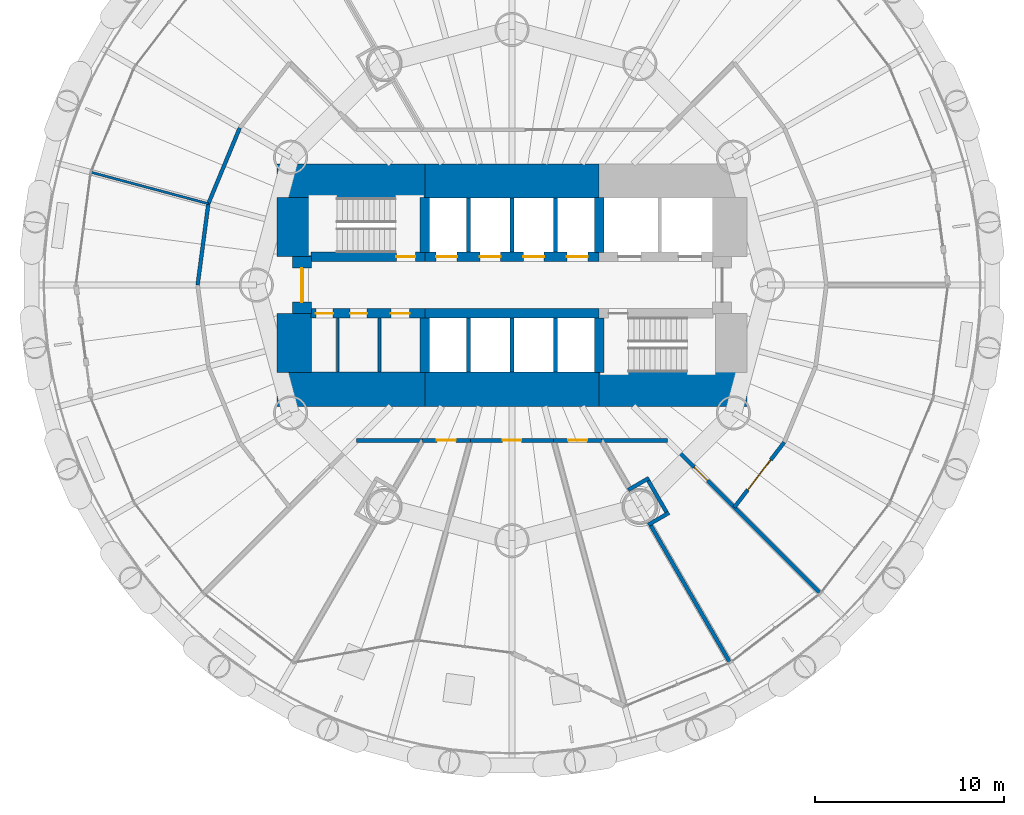
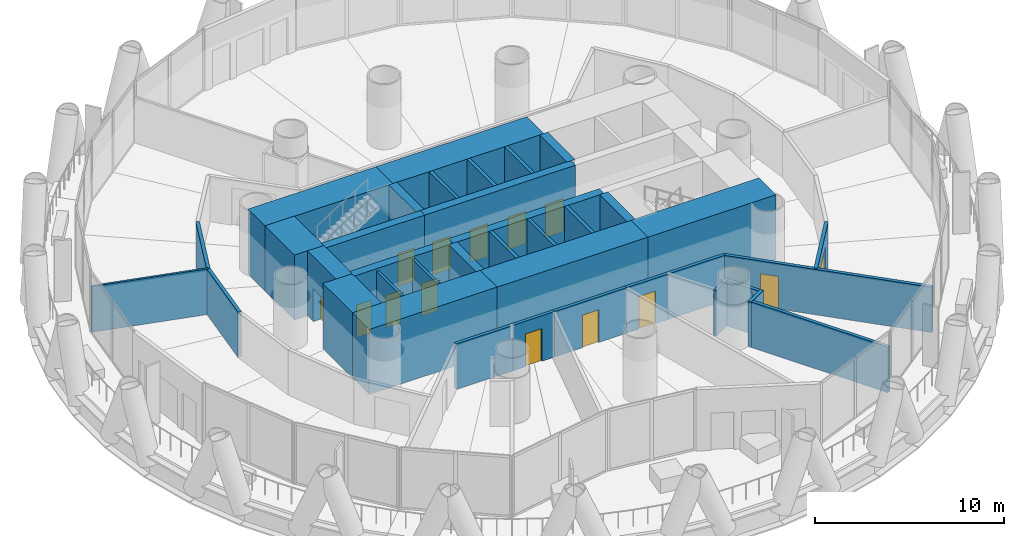
# One storey, part 10 of 15: 38 walls, 14 doors, 14 openings.
"""IFC4 building model written with IfcOpenShell, lengths in metres."""

from ifc_helpers import new_model, si_unit, direction, frame, frame_2d, origin, place, context, subcontext, project, spatial, rectangle, extrude, material, layer, layer_set, type_object, element, fill, save


model = new_model("IFC4")

# Units and contexts
model_context = context("Model", 3, precision=1e-05, world=origin(), true_north=direction((0.0, 1.0)))
body_context = subcontext(model_context, "Body", "Model", "MODEL_VIEW")
ifc_project = project(units=[si_unit("LENGTHUNIT", "METRE"), si_unit("AREAUNIT", "SQUARE_METRE"), si_unit("VOLUMEUNIT", "CUBIC_METRE"), si_unit("PLANEANGLEUNIT", "RADIAN"), si_unit("MASSUNIT", "GRAM", prefix="KILO")], contexts=[model_context])

# Site, building, storey
site_placement = place(None, origin())
site = spatial("IfcSite", under=ifc_project, at=site_placement, CompositionType="ELEMENT")
building_placement = place(site_placement, origin())
building = spatial("IfcBuilding", under=site, at=building_placement, Name="Qaws Media Tower", CompositionType="ELEMENT")
storey_placement = place(building_placement, frame((0.0, 0.0, 97.39990234375)))
storey = spatial("IfcBuildingStorey", under=building, at=storey_placement, Name="L21", CompositionType="ELEMENT", Elevation=97.39990234375)

# Wall, opening, door
ifc_material_1 = material(Name="Concrete C60/75", Category="concrete")
ifc_layer_1 = layer(ifc_material_1, 0.5)
ifc_layer_set_1 = layer_set([ifc_layer_1], Name="Core inner wall 500")
wall_type_1 = type_object("IfcWallType", Name="Core inner wall 500", PredefinedType="SHEAR", material=ifc_layer_set_1)
wall_1_placement = place(storey_placement, frame((49.3798828125, 51.5, 0.0), z_axis=(0.0, 0.0, 1.0), x_axis=(1.0, 0.0, 0.0)))
wall_1 = element("IfcWall", 1, at=wall_1_placement, inside=storey, type_object=wall_type_1, Name="W329 SW12 core wall SPNW L21", PredefinedType="SHEAR", context=body_context, shape_type="SweptSolid", body=[
    extrude(rectangle(XDim=6.02001953125, YDim=0.5, at=frame_2d((3.010009765625, 0.0))), origin(), (0.0, 0.0, 1.0), 4.2001953125),
])
opening_1_placement = place(wall_1_placement, frame((4.52001953125, 0.0, 0.0)))
opening_1 = element("IfcOpeningElement", 2, at=opening_1_placement, cuts=wall_1, Name="Opening D1", PredefinedType="OPENING", context=body_context, shape_type="SweptSolid", body=[
    extrude(rectangle(XDim=1.0, YDim=2.10009765625, at=frame_2d((0.5, 1.050048828125))), frame((0.0, 0.260009765625, 0.0), z_axis=(0.0, -1.0, 0.0), x_axis=(1.0, 0.0, 0.0)), (0.0, 0.0, 1.0), 0.52001953125),
])
ifc_material_2 = material(Name="Steel, fire rated", Category="steel")
door_type_1 = type_object("IfcDoorType", Name="Stair door 1000 FD120", OperationType="SINGLE_SWING_LEFT", PredefinedType="DOOR", material=ifc_material_2)
door_1_placement = place(opening_1_placement, origin())
door_1 = element("IfcDoor", 3, at=door_1_placement, inside=storey, type_object=door_type_1, Name="D1 stair S1 door L21 in wall W329", OperationType="SINGLE_SWING_LEFT", OverallHeight=2.10009765625, OverallWidth=1.0, PredefinedType="DOOR", context=body_context, shape_type="SweptSolid", body=[
    extrude(rectangle(XDim=1.0, YDim=2.10009765625, at=frame_2d((0.5, 1.050048828125))), frame((0.0, 0.02490234375, 0.0), z_axis=(0.0, -1.0, 0.0), x_axis=(1.0, 0.0, 0.0)), (0.0, 0.0, 1.0), 0.050048828125),
])
fill(opening_1, door_1)

# Wall, openings, doors
wall_2_placement = place(storey_placement, frame((55.39990234375, 51.5, 0.0), z_axis=(0.0, 0.0, 1.0), x_axis=(1.0, 0.0, 0.0)))
wall_2 = element("IfcWall", 4, at=wall_2_placement, inside=storey, type_object=wall_type_1, Name="W332 SW12 core wall SPN L21", PredefinedType="SHEAR", context=body_context, shape_type="SweptSolid", body=[
    extrude(rectangle(XDim=9.2001953125, YDim=0.5, at=frame_2d((4.60009765625, 0.0))), origin(), (0.0, 0.0, 1.0), 4.2001953125),
])
opening_2_placement = place(wall_2_placement, frame((0.60009765625, 0.0, 0.0)))
opening_2 = element("IfcOpeningElement", 5, at=opening_2_placement, cuts=wall_2, Name="Opening LD", PredefinedType="OPENING", context=body_context, shape_type="SweptSolid", body=[
    extrude(rectangle(XDim=1.10009765625, YDim=2.10009765625, at=frame_2d((0.550048828125, 1.050048828125))), frame((0.0, 0.260009765625, 0.0), z_axis=(0.0, -1.0, 0.0), x_axis=(1.0, 0.0, 0.0)), (0.0, 0.0, 1.0), 0.52001953125),
])
opening_3_placement = place(wall_2_placement, frame((2.89990234375, 0.0, 0.0)))
opening_3 = element("IfcOpeningElement", 6, at=opening_3_placement, cuts=wall_2, Name="Opening LD", PredefinedType="OPENING", context=body_context, shape_type="SweptSolid", body=[
    extrude(rectangle(XDim=1.10009765625, YDim=2.10009765625, at=frame_2d((0.550048828125, 1.050048828125))), frame((0.0, 0.260009765625, 0.0), z_axis=(0.0, -1.0, 0.0), x_axis=(1.0, 0.0, 0.0)), (0.0, 0.0, 1.0), 0.52001953125),
])
opening_4_placement = place(wall_2_placement, frame((5.199951171875, 0.0, 0.0)))
opening_4 = element("IfcOpeningElement", 7, at=opening_4_placement, cuts=wall_2, Name="Opening LD", PredefinedType="OPENING", context=body_context, shape_type="SweptSolid", body=[
    extrude(rectangle(XDim=1.10009765625, YDim=2.10009765625, at=frame_2d((0.550048828125, 1.050048828125))), frame((0.0, 0.260009765625, 0.0), z_axis=(0.0, -1.0, 0.0), x_axis=(1.0, 0.0, 0.0)), (0.0, 0.0, 1.0), 0.52001953125),
])
opening_5_placement = place(wall_2_placement, frame((7.5, 0.0, 0.0)))
opening_5 = element("IfcOpeningElement", 8, at=opening_5_placement, cuts=wall_2, Name="Opening LD", PredefinedType="OPENING", context=body_context, shape_type="SweptSolid", body=[
    extrude(rectangle(XDim=1.10009765625, YDim=2.10009765625, at=frame_2d((0.550048828125, 1.050048828125))), frame((0.0, 0.260009765625, 0.0), z_axis=(0.0, -1.0, 0.0), x_axis=(1.0, 0.0, 0.0)), (0.0, 0.0, 1.0), 0.52001953125),
])
ifc_material_3 = material(Name="Steel, fire rated", Category="steel")
door_type_2 = type_object("IfcDoorType", Name="Lift landing door 1100", OperationType="SLIDING_TO_LEFT", PredefinedType="DOOR", material=ifc_material_3)
door_2_placement = place(opening_2_placement, origin())
door_2 = element("IfcDoor", 9, at=door_2_placement, inside=storey, type_object=door_type_2, Name="P1 landing door L21 in wall W332", OperationType="SLIDING_TO_LEFT", OverallHeight=2.10009765625, OverallWidth=1.10009765625, PredefinedType="DOOR", context=body_context, shape_type="SweptSolid", body=[
    extrude(rectangle(XDim=1.10009765625, YDim=2.10009765625, at=frame_2d((0.550048828125, 1.050048828125))), frame((0.0, 0.02490234375, 0.0), z_axis=(0.0, -1.0, 0.0), x_axis=(1.0, 0.0, 0.0)), (0.0, 0.0, 1.0), 0.050048828125),
])
fill(opening_2, door_2)
door_3_placement = place(opening_3_placement, origin())
door_3 = element("IfcDoor", 10, at=door_3_placement, inside=storey, type_object=door_type_2, Name="P2 landing door L21 in wall W332", OperationType="SLIDING_TO_LEFT", OverallHeight=2.10009765625, OverallWidth=1.10009765625, PredefinedType="DOOR", context=body_context, shape_type="SweptSolid", body=[
    extrude(rectangle(XDim=1.10009765625, YDim=2.10009765625, at=frame_2d((0.550048828125, 1.050048828125))), frame((0.0, 0.02490234375, 0.0), z_axis=(0.0, -1.0, 0.0), x_axis=(1.0, 0.0, 0.0)), (0.0, 0.0, 1.0), 0.050048828125),
])
fill(opening_3, door_3)
door_4_placement = place(opening_4_placement, origin())
door_4 = element("IfcDoor", 11, at=door_4_placement, inside=storey, type_object=door_type_2, Name="P3 landing door L21 in wall W332", OperationType="SLIDING_TO_LEFT", OverallHeight=2.10009765625, OverallWidth=1.10009765625, PredefinedType="DOOR", context=body_context, shape_type="SweptSolid", body=[
    extrude(rectangle(XDim=1.10009765625, YDim=2.10009765625, at=frame_2d((0.550048828125, 1.050048828125))), frame((0.0, 0.02490234375, 0.0), z_axis=(0.0, -1.0, 0.0), x_axis=(1.0, 0.0, 0.0)), (0.0, 0.0, 1.0), 0.050048828125),
])
fill(opening_4, door_4)
door_5_placement = place(opening_5_placement, origin())
door_5 = element("IfcDoor", 12, at=door_5_placement, inside=storey, type_object=door_type_2, Name="P4 landing door L21 in wall W332", OperationType="SLIDING_TO_LEFT", OverallHeight=2.10009765625, OverallWidth=1.10009765625, PredefinedType="DOOR", context=body_context, shape_type="SweptSolid", body=[
    extrude(rectangle(XDim=1.10009765625, YDim=2.10009765625, at=frame_2d((0.550048828125, 1.050048828125))), frame((0.0, 0.02490234375, 0.0), z_axis=(0.0, -1.0, 0.0), x_axis=(1.0, 0.0, 0.0)), (0.0, 0.0, 1.0), 0.050048828125),
])
fill(opening_5, door_5)

wall_3_placement = place(storey_placement, frame((49.3798828125, 48.5, 0.0), z_axis=(0.0, 0.0, 1.0), x_axis=(1.0, 0.0, 0.0)))
wall_3 = element("IfcWall", 13, at=wall_3_placement, inside=storey, type_object=wall_type_1, Name="W328 SW12 core wall SPSW L21", PredefinedType="SHEAR", context=body_context, shape_type="SweptSolid", body=[
    extrude(rectangle(XDim=6.02001953125, YDim=0.5, at=frame_2d((3.010009765625, 0.0))), origin(), (0.0, 0.0, 1.0), 4.2001953125),
])
opening_6_placement = place(wall_3_placement, frame((0.27001953125, 0.0, 0.0)))
opening_6 = element("IfcOpeningElement", 14, at=opening_6_placement, cuts=wall_3, Name="Opening D25", PredefinedType="OPENING", context=body_context, shape_type="SweptSolid", body=[
    extrude(rectangle(XDim=0.89990234375, YDim=2.10009765625, at=frame_2d((0.449951171875, 1.050048828125))), frame((0.0, 0.260009765625, 0.0), z_axis=(0.0, -1.0, 0.0), x_axis=(1.0, 0.0, 0.0)), (0.0, 0.0, 1.0), 0.52001953125),
])
opening_7_placement = place(wall_3_placement, frame((2.070068359375, 0.0, 0.0)))
opening_7 = element("IfcOpeningElement", 15, at=opening_7_placement, cuts=wall_3, Name="Opening D25", PredefinedType="OPENING", context=body_context, shape_type="SweptSolid", body=[
    extrude(rectangle(XDim=0.89990234375, YDim=2.10009765625, at=frame_2d((0.449951171875, 1.050048828125))), frame((0.0, 0.260009765625, 0.0), z_axis=(0.0, -1.0, 0.0), x_axis=(1.0, 0.0, 0.0)), (0.0, 0.0, 1.0), 0.52001953125),
])
opening_8_placement = place(wall_3_placement, frame((4.219970703125, 0.0, 0.0)))
opening_8 = element("IfcOpeningElement", 16, at=opening_8_placement, cuts=wall_3, Name="Opening D4", PredefinedType="OPENING", context=body_context, shape_type="SweptSolid", body=[
    extrude(rectangle(XDim=1.0, YDim=2.10009765625, at=frame_2d((0.5, 1.050048828125))), frame((0.0, 0.260009765625, 0.0), z_axis=(0.0, -1.0, 0.0), x_axis=(1.0, 0.0, 0.0)), (0.0, 0.0, 1.0), 0.52001953125),
])
ifc_material_4 = material(Name="Timber veneered", Category="wood")
door_type_3 = type_object("IfcDoorType", Name="Accessible WC door 1000", OperationType="SLIDING_TO_LEFT", PredefinedType="DOOR", material=ifc_material_4)
door_6_placement = place(opening_8_placement, origin())
door_6 = element("IfcDoor", 17, at=door_6_placement, inside=storey, type_object=door_type_3, Name="D4 toilet door 3 L21 in wall W328", OperationType="SLIDING_TO_LEFT", OverallHeight=2.10009765625, OverallWidth=1.0, PredefinedType="DOOR", context=body_context, shape_type="SweptSolid", body=[
    extrude(rectangle(XDim=1.0, YDim=2.10009765625, at=frame_2d((0.5, 1.050048828125))), frame((0.0, 0.02490234375, 0.0), z_axis=(0.0, -1.0, 0.0), x_axis=(1.0, 0.0, 0.0)), (0.0, 0.0, 1.0), 0.050048828125),
])
fill(opening_8, door_6)
ifc_material_5 = material(Name="Steel, fire rated", Category="steel")
door_type_4 = type_object("IfcDoorType", Name="Core service door 900", OperationType="SINGLE_SWING_RIGHT", PredefinedType="DOOR", material=ifc_material_5)
door_7_placement = place(opening_6_placement, origin())
door_7 = element("IfcDoor", 18, at=door_7_placement, inside=storey, type_object=door_type_4, Name="D25 toilet door 1 L21 in wall W328", OperationType="SINGLE_SWING_RIGHT", OverallHeight=2.10009765625, OverallWidth=0.89990234375, PredefinedType="DOOR", context=body_context, shape_type="SweptSolid", body=[
    extrude(rectangle(XDim=0.89990234375, YDim=2.10009765625, at=frame_2d((0.449951171875, 1.050048828125))), frame((0.0, 0.02490234375, 0.0), z_axis=(0.0, -1.0, 0.0), x_axis=(1.0, 0.0, 0.0)), (0.0, 0.0, 1.0), 0.050048828125),
])
fill(opening_6, door_7)
door_8_placement = place(opening_7_placement, origin())
door_8 = element("IfcDoor", 19, at=door_8_placement, inside=storey, type_object=door_type_4, Name="D25 toilet door 2 L21 in wall W328", OperationType="SINGLE_SWING_RIGHT", OverallHeight=2.10009765625, OverallWidth=0.89990234375, PredefinedType="DOOR", context=body_context, shape_type="SweptSolid", body=[
    extrude(rectangle(XDim=0.89990234375, YDim=2.10009765625, at=frame_2d((0.449951171875, 1.050048828125))), frame((0.0, 0.02490234375, 0.0), z_axis=(0.0, -1.0, 0.0), x_axis=(1.0, 0.0, 0.0)), (0.0, 0.0, 1.0), 0.050048828125),
])
fill(opening_7, door_8)

# Walls
wall_4_placement = place(storey_placement, frame((55.39990234375, 48.5, 0.0), z_axis=(0.0, 0.0, 1.0), x_axis=(1.0, 0.0, 0.0)))
element("IfcWall", 20, at=wall_4_placement, inside=storey, type_object=wall_type_1, Name="W331 SW12 core wall SPS L21", PredefinedType="SHEAR", context=body_context, shape_type="SweptSolid", body=[
    extrude(rectangle(XDim=9.2001953125, YDim=0.5, at=frame_2d((4.60009765625, 0.0))), origin(), (0.0, 0.0, 1.0), 4.2001953125),
])
for number, where, z_axis, x_axis, name in (
    (21, (55.39990234375, 51.72998046875, 0.0), (0.0, 0.0, 1.0), (0.0, 1.0, 0.0), "W333 SW12 core wall XNW L21"),
    (22, (64.60009765625, 51.72998046875, 0.0), (0.0, 0.0, 1.0), (0.0, 1.0, 0.0), "W337 SW12 core wall XNE L21"),
    (23, (55.39990234375, 48.27001953125, 0.0), (0.0, 0.0, 1.0), (0.0, -1.0, 0.0), "W330 SW12 core wall XSW L21"),
    (24, (64.60009765625, 48.27001953125, 0.0), (0.0, 0.0, 1.0), (0.0, -1.0, 0.0), "W334 SW12 core wall XSE L21"),
):
    element("IfcWall", number, at=place(storey_placement, frame(where, z_axis=z_axis, x_axis=x_axis)), inside=storey, type_object=wall_type_1, Name=name, PredefinedType="SHEAR", context=body_context, shape_type="SweptSolid", body=[
        extrude(rectangle(XDim=2.89013671875, YDim=0.5, at=frame_2d((1.445068359375, 0.0))), origin(), (0.0, 0.0, 1.0), 4.2001953125),
    ])

# Wall, opening, door
ifc_material_6 = material(Name="Concrete C60/75", Category="concrete")
ifc_layer_2 = layer(ifc_material_6, 1.0)
ifc_layer_set_2 = layer_set([ifc_layer_2], Name="Core wall 1000")
wall_type_2 = type_object("IfcWallType", Name="Core wall 1000", PredefinedType="SHEAR", material=ifc_layer_set_2)
wall_5_placement = place(storey_placement, frame((48.89990234375, 48.5, 0.0), z_axis=(0.0, 0.0, 1.0), x_axis=(0.0, 1.0, 0.0)))
wall_5 = element("IfcWall", 25, at=wall_5_placement, inside=storey, type_object=wall_type_2, Name="W364 SW8 core wall W L21", PredefinedType="SHEAR", context=body_context, shape_type="SweptSolid", body=[
    extrude(rectangle(XDim=3.0, YDim=1.0, at=frame_2d((1.5, 0.0))), origin(), (0.0, 0.0, 1.0), 4.2001953125),
])
opening_9_placement = place(wall_5_placement, frame((0.60009765625, 0.0, 0.0)))
opening_9 = element("IfcOpeningElement", 26, at=opening_9_placement, cuts=wall_5, Name="Opening D2", PredefinedType="OPENING", context=body_context, shape_type="SweptSolid", body=[
    extrude(rectangle(XDim=1.800048828125, YDim=2.10009765625, at=frame_2d((0.89990234375, 1.050048828125))), frame((0.0, 0.510009765625, 0.0), z_axis=(0.0, -1.0, 0.0), x_axis=(1.0, 0.0, 0.0)), (0.0, 0.0, 1.0), 1.02001953125),
])
ifc_material_7 = material(Name="Steel and glass, fire rated", Category="steel")
door_type_5 = type_object("IfcDoorType", Name="Lobby door pair 1800 FD60", OperationType="DOUBLE_DOOR_DOUBLE_SWING", PredefinedType="DOOR", material=ifc_material_7)
door_9_placement = place(opening_9_placement, origin())
door_9 = element("IfcDoor", 27, at=door_9_placement, inside=storey, type_object=door_type_5, Name="D2 core lobby door W L21 in wall W364", OperationType="DOUBLE_DOOR_DOUBLE_SWING", OverallHeight=2.10009765625, OverallWidth=1.800048828125, PredefinedType="DOOR", context=body_context, shape_type="SweptSolid", body=[
    extrude(rectangle(XDim=1.800048828125, YDim=2.10009765625, at=frame_2d((0.89990234375, 1.050048828125))), frame((0.0, 0.02490234375, 0.0), z_axis=(0.0, -1.0, 0.0), x_axis=(1.0, 0.0, 0.0)), (0.0, 0.0, 1.0), 0.050048828125),
])
fill(opening_9, door_9)

# Walls
ifc_material_8 = material(Name="Concrete C60/75", Category="concrete")
ifc_layer_3 = layer(ifc_material_8, 1.800048828125)
ifc_layer_set_3 = layer_set([ifc_layer_3], Name="Core wall 1800")
wall_type_3 = type_object("IfcWallType", Name="Core wall 1800", PredefinedType="SHEAR", material=ifc_layer_set_3)
wall_6_placement = place(storey_placement, frame((47.60009765625, 55.5, 0.0), z_axis=(0.0, 0.0, 1.0), x_axis=(1.0, 0.0, 0.0)))
element("IfcWall", 28, at=wall_6_placement, inside=storey, type_object=wall_type_3, Name="W399 SW11 core wall NW L21", PredefinedType="SHEAR", context=body_context, shape_type="SweptSolid", body=[
    extrude(rectangle(XDim=7.7998046875, YDim=1.800048828125, at=frame_2d((3.89990234375, 0.0))), origin(), (0.0, 0.0, 1.0), 4.2001953125),
])
wall_7_placement = place(storey_placement, frame((55.39990234375, 55.5, 0.0), z_axis=(0.0, 0.0, 1.0), x_axis=(1.0, 0.0, 0.0)))
element("IfcWall", 29, at=wall_7_placement, inside=storey, type_object=wall_type_3, Name="W404 SW11 core wall N L21", PredefinedType="SHEAR", context=body_context, shape_type="SweptSolid", body=[
    extrude(rectangle(XDim=9.2001953125, YDim=1.800048828125, at=frame_2d((4.60009765625, 0.0))), origin(), (0.0, 0.0, 1.0), 4.2001953125),
])
wall_8_placement = place(storey_placement, frame((47.60009765625, 44.5, 0.0), z_axis=(0.0, 0.0, 1.0), x_axis=(1.0, 0.0, 0.0)))
element("IfcWall", 30, at=wall_8_placement, inside=storey, type_object=wall_type_3, Name="W398 SW11 core wall SW L21", PredefinedType="SHEAR", context=body_context, shape_type="SweptSolid", body=[
    extrude(rectangle(XDim=7.7998046875, YDim=1.800048828125, at=frame_2d((3.89990234375, 0.0))), origin(), (0.0, 0.0, 1.0), 4.2001953125),
])
wall_9_placement = place(storey_placement, frame((55.39990234375, 44.5, 0.0), z_axis=(0.0, 0.0, 1.0), x_axis=(1.0, 0.0, 0.0)))
element("IfcWall", 31, at=wall_9_placement, inside=storey, type_object=wall_type_3, Name="W403 SW11 core wall S L21", PredefinedType="SHEAR", context=body_context, shape_type="SweptSolid", body=[
    extrude(rectangle(XDim=9.2001953125, YDim=1.800048828125, at=frame_2d((4.60009765625, 0.0))), origin(), (0.0, 0.0, 1.0), 4.2001953125),
])
wall_10_placement = place(storey_placement, frame((64.60009765625, 44.5, 0.0), z_axis=(0.0, 0.0, 1.0), x_axis=(1.0, 0.0, 0.0)))
element("IfcWall", 32, at=wall_10_placement, inside=storey, type_object=wall_type_3, Name="W405 SW11 core wall SE L21", PredefinedType="SHEAR", context=body_context, shape_type="SweptSolid", body=[
    extrude(rectangle(XDim=7.7998046875, YDim=1.800048828125, at=frame_2d((3.89990234375, 0.0))), origin(), (0.0, 0.0, 1.0), 4.2001953125),
])
for number, where, z_axis, x_axis, name in (
    (33, (48.5, 45.3798828125, 0.0), (0.0, 0.0, 1.0), (0.0, 1.0, 0.0), "W400 SW11 core wall WS L21"),
    (34, (48.5, 51.5, 0.0), (0.0, 0.0, 1.0), (0.0, 1.0, 0.0), "W402 SW11 core wall WN L21"),
):
    element("IfcWall", number, at=place(storey_placement, frame(where, z_axis=z_axis, x_axis=x_axis)), inside=storey, type_object=wall_type_3, Name=name, PredefinedType="SHEAR", context=body_context, shape_type="SweptSolid", body=[
        extrude(rectangle(XDim=3.1201171875, YDim=1.800048828125, at=frame_2d((1.56005859375, 0.0))), origin(), (0.0, 0.0, 1.0), 4.2001953125),
    ])
ifc_material_9 = material(Name="Two layers gypsum board each side on 75 studs, insulated", Category="gypsum")
ifc_layer_4 = layer(ifc_material_9, 0.125)
ifc_layer_set_4 = layer_set([ifc_layer_4], Name="Meeting room partition 125 Rw 48")
wall_type_4 = type_object("IfcWallType", Name="Meeting room partition 125 Rw 48", PredefinedType="PARTITIONING", material=ifc_layer_set_4)
wall_11_placement = place(storey_placement, frame((43.965576171875, 54.29638671875, 0.0), z_axis=(0.0, 0.0, 1.0), x_axis=(-0.965925181041, 0.258821453189, 0.0)))
element("IfcWall", 35, at=wall_11_placement, inside=storey, type_object=wall_type_4, Name="W530 IW5 partition L21", PredefinedType="PARTITIONING", context=body_context, shape_type="SweptSolid", body=[
    extrude(rectangle(XDim=6.385009765625, YDim=0.125, at=frame_2d((3.1923828125, 0.0))), origin(), (0.0, 0.0, 1.0), 2.9501953125),
])
ifc_material_10 = material(Name="Gypsum board on galvanised metal studs, acoustic double stud, deflection head", Category="gypsum")
ifc_layer_5 = layer(ifc_material_10, 0.199951171875)
ifc_layer_set_5 = layer_set([ifc_layer_5], Name="Room partition 200")
wall_type_5 = type_object("IfcWallType", Name="Room partition 200", PredefinedType="PARTITIONING", material=ifc_layer_set_5)
for number, where, z_axis, x_axis, name in (
    (36, (43.39990234375, 50.0, 0.0), (0.0, 0.0, 1.0), (0.130536124221, 0.99144355375, 0.0), "W1132 IW3 partition L21"),
    (37, (43.965576171875, 54.29638671875, 0.0), (0.0, 0.0, 1.0), (0.382698425325, 0.923873322082, 0.0), "W1134 IW3 partition L21"),
):
    element("IfcWall", number, at=place(storey_placement, frame(where, z_axis=z_axis, x_axis=x_axis)), inside=storey, type_object=wall_type_5, Name=name, PredefinedType="PARTITIONING", context=body_context, shape_type="SweptSolid", body=[
        extrude(rectangle(XDim=4.33349609375, YDim=0.199951171875, at=frame_2d((2.166748046875, 0.0))), origin(), (0.0, 0.0, 1.0), 2.93017578125),
    ])

# Wall, opening, door
wall_12_placement = place(storey_placement, frame((74.3759765625, 41.699951171875, 0.0), z_axis=(0.0, 0.0, 1.0), x_axis=(-0.60874374674, -0.79336690806, 0.0)))
wall_12 = element("IfcWall", 38, at=wall_12_placement, inside=storey, type_object=wall_type_5, Name="W1162 IW3 partition L21", PredefinedType="PARTITIONING", context=body_context, shape_type="SweptSolid", body=[
    extrude(rectangle(XDim=4.33349609375, YDim=0.199951171875, at=frame_2d((2.166748046875, 0.0))), origin(), (0.0, 0.0, 1.0), 2.93017578125),
])
opening_10_placement = place(wall_12_placement, frame((1.166748046875, 0.0, 0.0)))
opening_10 = element("IfcOpeningElement", 39, at=opening_10_placement, cuts=wall_12, Name="Opening D6", PredefinedType="OPENING", context=body_context, shape_type="SweptSolid", body=[
    extrude(rectangle(XDim=2.0, YDim=2.10009765625, at=frame_2d((1.0, 1.050048828125))), frame((0.0, 0.10986328125, 0.0), z_axis=(0.0, -1.0, 0.0), x_axis=(1.0, 0.0, 0.0)), (0.0, 0.0, 1.0), 0.219970703125),
])
ifc_material_11 = material(Name="Steel, acoustic, fire rated", Category="steel")
door_type_6 = type_object("IfcDoorType", Name="Room door pair 2000", OperationType="DOUBLE_DOOR_DOUBLE_SWING", PredefinedType="DOOR", material=ifc_material_11)
door_10_placement = place(opening_10_placement, origin())
door_10 = element("IfcDoor", 40, at=door_10_placement, inside=storey, type_object=door_type_6, Name="D6 Broadcast engineering office door L21 in wall W1162", OperationType="DOUBLE_DOOR_DOUBLE_SWING", OverallHeight=2.10009765625, OverallWidth=2.0, PredefinedType="DOOR", context=body_context, shape_type="SweptSolid", body=[
    extrude(rectangle(XDim=2.0, YDim=2.10009765625, at=frame_2d((1.0, 1.050048828125))), frame((0.0, 0.02490234375, 0.0), z_axis=(0.0, -1.0, 0.0), x_axis=(1.0, 0.0, 0.0)), (0.0, 0.0, 1.0), 0.050048828125),
])
fill(opening_10, door_10)

# Wall
wall_13_placement = place(storey_placement, frame((68.199951171875, 41.800048828125, 0.0), z_axis=(0.0, 0.0, 1.0), x_axis=(-1.0, 0.0, 0.0)))
element("IfcWall", 41, at=wall_13_placement, inside=storey, type_object=wall_type_5, Name="W1158 IW3 partition L21", PredefinedType="PARTITIONING", context=body_context, shape_type="SweptSolid", body=[
    extrude(rectangle(XDim=3.465576171875, YDim=0.199951171875, at=frame_2d((1.73291015625, 0.0))), origin(), (0.0, 0.0, 1.0), 2.93017578125),
])

# Wall, opening, door
wall_14_placement = place(storey_placement, frame((64.734375, 41.800048828125, 0.0), z_axis=(0.0, 0.0, 1.0), x_axis=(-1.0, 0.0, 0.0)))
wall_14 = element("IfcWall", 42, at=wall_14_placement, inside=storey, type_object=wall_type_5, Name="W1153 IW3 partition L21", PredefinedType="PARTITIONING", context=body_context, shape_type="SweptSolid", body=[
    extrude(rectangle(XDim=2.537109375, YDim=0.199951171875, at=frame_2d((1.2685546875, 0.0))), origin(), (0.0, 0.0, 1.0), 2.93017578125),
])
opening_11_placement = place(wall_14_placement, frame((0.7685546875, 0.0, 0.0)))
opening_11 = element("IfcOpeningElement", 43, at=opening_11_placement, cuts=wall_14, Name="Opening D5", PredefinedType="OPENING", context=body_context, shape_type="SweptSolid", body=[
    extrude(rectangle(XDim=1.0, YDim=2.10009765625, at=frame_2d((0.5, 1.050048828125))), frame((0.0, 0.10986328125, 0.0), z_axis=(0.0, -1.0, 0.0), x_axis=(1.0, 0.0, 0.0)), (0.0, 0.0, 1.0), 0.219970703125),
])
ifc_material_12 = material(Name="Timber veneered, acoustic seal", Category="wood")
door_type_7 = type_object("IfcDoorType", Name="Room door 1000", OperationType="SINGLE_SWING_LEFT", PredefinedType="DOOR", material=ifc_material_12)
door_11_placement = place(opening_11_placement, origin())
door_11 = element("IfcDoor", 44, at=door_11_placement, inside=storey, type_object=door_type_7, Name="D5 Gents toilets door L21 in wall W1153", OperationType="SINGLE_SWING_LEFT", OverallHeight=2.10009765625, OverallWidth=1.0, PredefinedType="DOOR", context=body_context, shape_type="SweptSolid", body=[
    extrude(rectangle(XDim=1.0, YDim=2.10009765625, at=frame_2d((0.5, 1.050048828125))), frame((0.0, 0.02490234375, 0.0), z_axis=(0.0, -1.0, 0.0), x_axis=(1.0, 0.0, 0.0)), (0.0, 0.0, 1.0), 0.050048828125),
])
fill(opening_11, door_11)

wall_15_placement = place(storey_placement, frame((62.197265625, 41.800048828125, 0.0), z_axis=(0.0, 0.0, 1.0), x_axis=(-1.0, 0.0, 0.0)))
wall_15 = element("IfcWall", 45, at=wall_15_placement, inside=storey, type_object=wall_type_5, Name="W1151 IW3 partition L21", PredefinedType="PARTITIONING", context=body_context, shape_type="SweptSolid", body=[
    extrude(rectangle(XDim=4.39453125, YDim=0.199951171875, at=frame_2d((2.197265625, 0.0))), origin(), (0.0, 0.0, 1.0), 2.93017578125),
])
opening_12_placement = place(wall_15_placement, frame((1.697265625, 0.0, 0.0)))
opening_12 = element("IfcOpeningElement", 46, at=opening_12_placement, cuts=wall_15, Name="Opening D5", PredefinedType="OPENING", context=body_context, shape_type="SweptSolid", body=[
    extrude(rectangle(XDim=1.0, YDim=2.10009765625, at=frame_2d((0.5, 1.050048828125))), frame((0.0, 0.10986328125, 0.0), z_axis=(0.0, -1.0, 0.0), x_axis=(1.0, 0.0, 0.0)), (0.0, 0.0, 1.0), 0.219970703125),
])
door_12_placement = place(opening_12_placement, origin())
door_12 = element("IfcDoor", 47, at=door_12_placement, inside=storey, type_object=door_type_7, Name="D5 Media library door L21 in wall W1151", OperationType="SINGLE_SWING_LEFT", OverallHeight=2.10009765625, OverallWidth=1.0, PredefinedType="DOOR", context=body_context, shape_type="SweptSolid", body=[
    extrude(rectangle(XDim=1.0, YDim=2.10009765625, at=frame_2d((0.5, 1.050048828125))), frame((0.0, 0.02490234375, 0.0), z_axis=(0.0, -1.0, 0.0), x_axis=(1.0, 0.0, 0.0)), (0.0, 0.0, 1.0), 0.050048828125),
])
fill(opening_12, door_12)

wall_16_placement = place(storey_placement, frame((57.802734375, 41.800048828125, 0.0), z_axis=(0.0, 0.0, 1.0), x_axis=(-1.0, 0.0, 0.0)))
wall_16 = element("IfcWall", 48, at=wall_16_placement, inside=storey, type_object=wall_type_5, Name="W1148 IW3 partition L21", PredefinedType="PARTITIONING", context=body_context, shape_type="SweptSolid", body=[
    extrude(rectangle(XDim=2.537109375, YDim=0.199951171875, at=frame_2d((1.2685546875, 0.0))), origin(), (0.0, 0.0, 1.0), 2.93017578125),
])
opening_13_placement = place(wall_16_placement, frame((0.7685546875, 0.0, 0.0)))
opening_13 = element("IfcOpeningElement", 49, at=opening_13_placement, cuts=wall_16, Name="Opening D5", PredefinedType="OPENING", context=body_context, shape_type="SweptSolid", body=[
    extrude(rectangle(XDim=1.0, YDim=2.10009765625, at=frame_2d((0.5, 1.050048828125))), frame((0.0, 0.10986328125, 0.0), z_axis=(0.0, -1.0, 0.0), x_axis=(1.0, 0.0, 0.0)), (0.0, 0.0, 1.0), 0.219970703125),
])
door_13_placement = place(opening_13_placement, origin())
door_13 = element("IfcDoor", 50, at=door_13_placement, inside=storey, type_object=door_type_7, Name="D5 Comms room door L21 in wall W1148", OperationType="SINGLE_SWING_LEFT", OverallHeight=2.10009765625, OverallWidth=1.0, PredefinedType="DOOR", context=body_context, shape_type="SweptSolid", body=[
    extrude(rectangle(XDim=1.0, YDim=2.10009765625, at=frame_2d((0.5, 1.050048828125))), frame((0.0, 0.02490234375, 0.0), z_axis=(0.0, -1.0, 0.0), x_axis=(1.0, 0.0, 0.0)), (0.0, 0.0, 1.0), 0.050048828125),
])
fill(opening_13, door_13)

# Walls
wall_17_placement = place(storey_placement, frame((55.265625, 41.800048828125, 0.0), z_axis=(0.0, 0.0, 1.0), x_axis=(-1.0, 0.0, 0.0)))
element("IfcWall", 51, at=wall_17_placement, inside=storey, type_object=wall_type_5, Name="W1145 IW3 partition L21", PredefinedType="PARTITIONING", context=body_context, shape_type="SweptSolid", body=[
    extrude(rectangle(XDim=3.465576171875, YDim=0.199951171875, at=frame_2d((1.73291015625, 0.0))), origin(), (0.0, 0.0, 1.0), 2.93017578125),
])
wall_18_placement = place(storey_placement, frame((66.13330078125, 39.176513671875, 0.0), z_axis=(0.0, 0.0, 1.0), x_axis=(0.866022320763, 0.500005339912, 0.0)))
element("IfcWall", 52, at=wall_18_placement, inside=storey, type_object=wall_type_5, Name="W1154 IW3 partition return L21", PredefinedType="PARTITIONING", context=body_context, shape_type="SweptSolid", body=[
    extrude(rectangle(XDim=1.27001953125, YDim=0.199951171875, at=frame_2d((0.635009765625, 0.0))), origin(), (0.0, 0.0, 1.0), 2.93017578125),
])
wall_19_placement = place(storey_placement, frame((67.193359375, 37.3408203125, 0.0), z_axis=(0.0, 0.0, 1.0), x_axis=(0.8661055579, 0.499861143294, 0.0)))
element("IfcWall", 53, at=wall_19_placement, inside=storey, type_object=wall_type_5, Name="W1155 IW3 partition return L21", PredefinedType="PARTITIONING", context=body_context, shape_type="SweptSolid", body=[
    extrude(rectangle(XDim=1.269775390625, YDim=0.199951171875, at=frame_2d((0.634765625, 0.0))), origin(), (0.0, 0.0, 1.0), 2.93017578125),
])
wall_20_placement = place(storey_placement, frame((67.196533203125, 39.675048828125, 0.0), z_axis=(0.0, 0.0, 1.0), x_axis=(0.49996827322, -0.866043720474, 0.0)))
element("IfcWall", 54, at=wall_20_placement, inside=storey, type_object=wall_type_5, Name="W1156 IW3 partition return L21", PredefinedType="PARTITIONING", context=body_context, shape_type="SweptSolid", body=[
    extrude(rectangle(XDim=1.919921875, YDim=0.199951171875, at=frame_2d((0.9599609375, 0.0))), origin(), (0.0, 0.0, 1.0), 2.93017578125),
])
wall_21_placement = place(storey_placement, frame((67.330078125, 37.30419921875, 0.0), z_axis=(0.0, 0.0, 1.0), x_axis=(0.499983926186, -0.866034683806, 0.0)))
element("IfcWall", 55, at=wall_21_placement, inside=storey, type_object=wall_type_5, Name="W1157 IW3 partition L21", PredefinedType="PARTITIONING", context=body_context, shape_type="SweptSolid", body=[
    extrude(rectangle(XDim=8.324951171875, YDim=0.199951171875, at=frame_2d((4.16259765625, 0.0))), origin(), (0.0, 0.0, 1.0), 2.9501953125),
])

# Wall, opening, door
wall_22_placement = place(storey_placement, frame((68.199951171875, 41.800048828125, 0.0), z_axis=(0.0, 0.0, 1.0), x_axis=(0.707096062332, -0.707117499879, 0.0)))
wall_22 = element("IfcWall", 56, at=wall_22_placement, inside=storey, type_object=wall_type_5, Name="W1159 IW3 partition L21", PredefinedType="PARTITIONING", context=body_context, shape_type="SweptSolid", body=[
    extrude(rectangle(XDim=11.388427734375, YDim=0.199951171875, at=frame_2d((5.6943359375, 0.0))), origin(), (0.0, 0.0, 1.0), 2.93017578125),
])
opening_14_placement = place(wall_22_placement, frame((2.001708984375, 0.0, 0.0)))
opening_14 = element("IfcOpeningElement", 57, at=opening_14_placement, cuts=wall_22, Name="Opening D5", PredefinedType="OPENING", context=body_context, shape_type="SweptSolid", body=[
    extrude(rectangle(XDim=1.0, YDim=2.10009765625, at=frame_2d((0.5, 1.050048828125))), frame((0.0, 0.10986328125, 0.0), z_axis=(0.0, -1.0, 0.0), x_axis=(1.0, 0.0, 0.0)), (0.0, 0.0, 1.0), 0.219970703125),
])
door_14_placement = place(opening_14_placement, origin())
door_14 = element("IfcDoor", 58, at=door_14_placement, inside=storey, type_object=door_type_7, Name="D5 Ladies toilets door L21 in wall W1159", OperationType="SINGLE_SWING_LEFT", OverallHeight=2.10009765625, OverallWidth=1.0, PredefinedType="DOOR", context=body_context, shape_type="SweptSolid", body=[
    extrude(rectangle(XDim=1.0, YDim=2.10009765625, at=frame_2d((0.5, 1.050048828125))), frame((0.0, 0.02490234375, 0.0), z_axis=(0.0, -1.0, 0.0), x_axis=(1.0, 0.0, 0.0)), (0.0, 0.0, 1.0), 0.050048828125),
])
fill(opening_14, door_14)

# Walls
ifc_material_13 = material(Name="Fire-rated gypsum board shaft wall on galvanised metal studs, deflection head", Category="gypsum")
ifc_layer_6 = layer(ifc_material_13, 0.199951171875)
ifc_layer_set_6 = layer_set([ifc_layer_6], Name="Shaft wall 200")
wall_type_6 = type_object("IfcWallType", Name="Shaft wall 200", PredefinedType="PARTITIONING", material=ifc_layer_set_6)
for number, where, z_axis, x_axis, name in (
    (59, (57.699951171875, 51.75, 0.0), (0.0, 0.0, 1.0), (0.0, 1.0, 0.0), "W1847 IW1 shaft wall N1 L21"),
    (60, (60.0, 51.75, 0.0), (0.0, 0.0, 1.0), (0.0, 1.0, 0.0), "W1849 IW1 shaft wall N2 L21"),
    (61, (62.300048828125, 51.75, 0.0), (0.0, 0.0, 1.0), (0.0, 1.0, 0.0), "W1851 IW1 shaft wall N3 L21"),
    (62, (57.699951171875, 45.39990234375, 0.0), (0.0, 0.0, 1.0), (0.0, 1.0, 0.0), "W1846 IW1 shaft wall S1 L21"),
    (63, (60.0, 45.39990234375, 0.0), (0.0, 0.0, 1.0), (0.0, 1.0, 0.0), "W1848 IW1 shaft wall S2 L21"),
    (64, (62.300048828125, 45.39990234375, 0.0), (0.0, 0.0, 1.0), (0.0, 1.0, 0.0), "W1850 IW1 shaft wall S3 L21"),
):
    element("IfcWall", number, at=place(storey_placement, frame(where, z_axis=z_axis, x_axis=x_axis)), inside=storey, type_object=wall_type_6, Name=name, PredefinedType="PARTITIONING", context=body_context, shape_type="SweptSolid", body=[
        extrude(rectangle(XDim=2.85009765625, YDim=0.199951171875, at=frame_2d((1.425048828125, 0.0))), origin(), (0.0, 0.0, 1.0), 4.2001953125),
    ])
ifc_material_14 = material(Name="Gypsum board on galvanised metal studs, deflection head", Category="gypsum")
ifc_layer_7 = layer(ifc_material_14, 0.14990234375)
ifc_layer_set_7 = layer_set([ifc_layer_7], Name="WC partition 150")
wall_type_7 = type_object("IfcWallType", Name="WC partition 150", PredefinedType="PARTITIONING", material=ifc_layer_set_7)
for number, where, z_axis, x_axis, name in (
    (65, (50.800048828125, 45.39990234375, 0.0), (0.0, 0.0, 1.0), (0.0, 1.0, 0.0), "W1907 IW2 toilet partition 1 L21"),
    (66, (53.0, 45.39990234375, 0.0), (0.0, 0.0, 1.0), (0.0, 1.0, 0.0), "W1908 IW2 toilet partition 2 L21"),
):
    element("IfcWall", number, at=place(storey_placement, frame(where, z_axis=z_axis, x_axis=x_axis)), inside=storey, type_object=wall_type_7, Name=name, PredefinedType="PARTITIONING", context=body_context, shape_type="SweptSolid", body=[
        extrude(rectangle(XDim=2.85009765625, YDim=0.14990234375, at=frame_2d((1.425048828125, 0.0))), origin(), (0.0, 0.0, 1.0), 4.0400390625),
    ])

save(model, "model.ifc")
